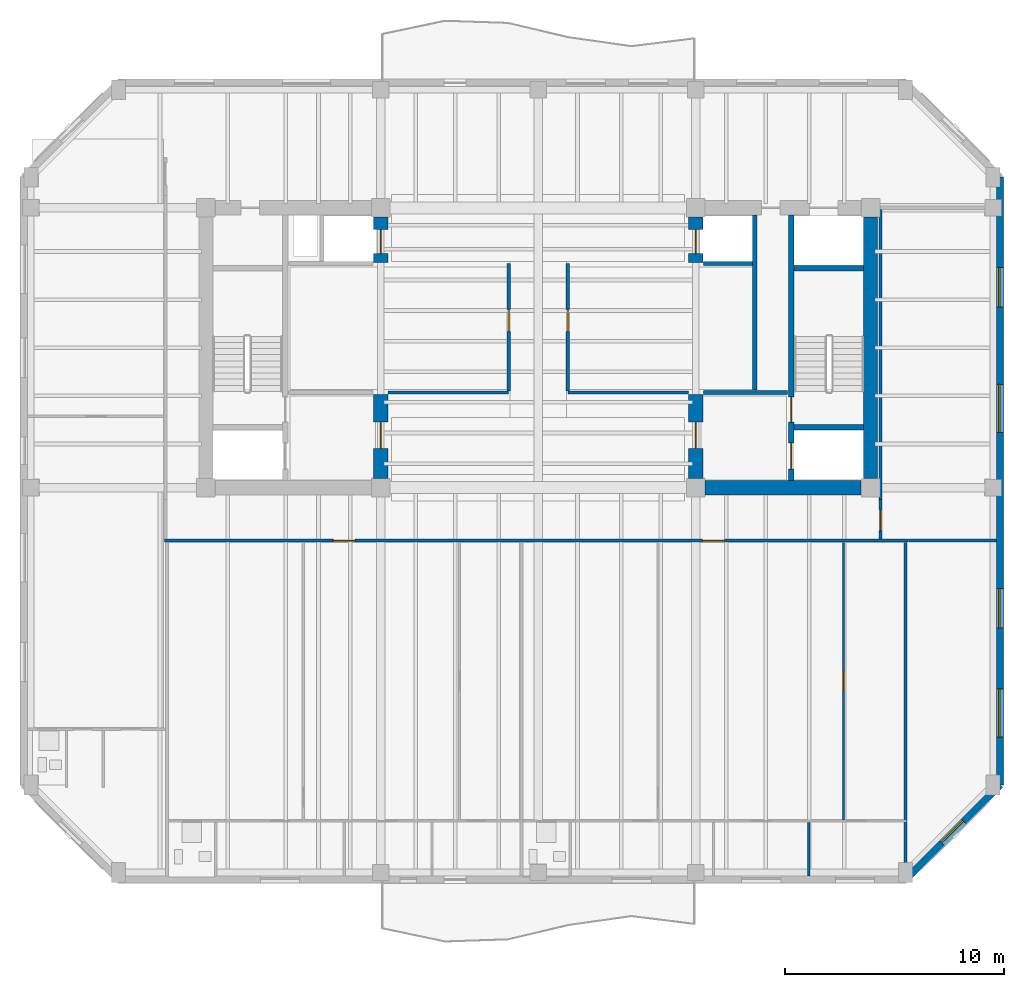
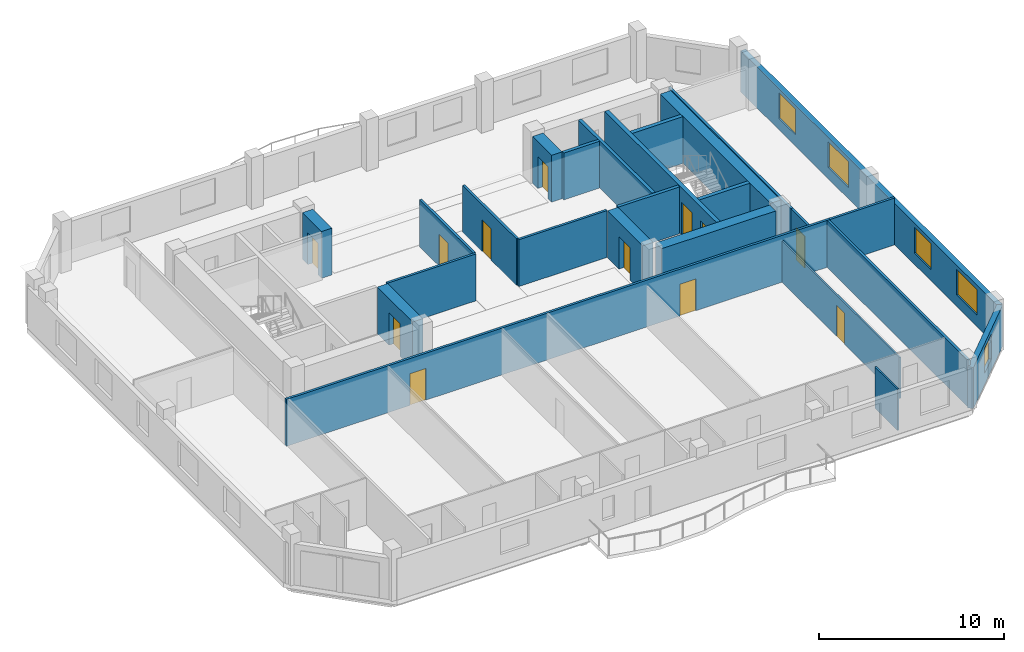
# One storey, part 4 of 10: 25 walls, 12 doors, 5 windows, 17 openings.
"""IFC4 building model written with IfcOpenShell, lengths in metres."""

from ifc_helpers import new_model, si_unit, direction, frame, frame_2d, origin, place, context, subcontext, project, spatial, rectangle, extrude, material, layer, layer_set, type_object, element, fill, save


model = new_model("IFC4")

# Units and contexts
model_context = context("Model", 3, precision=1e-05, world=origin(), true_north=direction((0.0, 1.0)))
body_context = subcontext(model_context, "Body", "Model", "MODEL_VIEW")
ifc_project = project(units=[si_unit("LENGTHUNIT", "METRE"), si_unit("AREAUNIT", "SQUARE_METRE"), si_unit("VOLUMEUNIT", "CUBIC_METRE"), si_unit("PLANEANGLEUNIT", "RADIAN"), si_unit("MASSUNIT", "GRAM", prefix="KILO")], contexts=[model_context])

# Site, building, storey
site_placement = place(None, origin())
site = spatial("IfcSite", under=ifc_project, at=site_placement, CompositionType="ELEMENT")
building_placement = place(site_placement, origin())
building = spatial("IfcBuilding", under=site, at=building_placement, Name="Kranthara Brick Stack", CompositionType="ELEMENT")
storey_placement = place(building_placement, frame((0.0, 0.0, 214.300048828125)))
storey = spatial("IfcBuildingStorey", under=building, at=storey_placement, Name="L55", CompositionType="ELEMENT", Elevation=214.300048828125)

# Wall, openings, windows
ifc_material_1 = material(Name="Warm buff clay brick masonry M15", Category="masonry")
ifc_layer_1 = layer(ifc_material_1, 0.320068359375)
ifc_layer_set_1 = layer_set([ifc_layer_1], Name="Warm buff clay brick masonry M15")
wall_type_1 = type_object("IfcWallType", Name="WL-BRK-UPPR-320", PredefinedType="STANDARD", material=ifc_layer_set_1)
wall_1_placement = place(storey_placement, frame((49.1201171875, 35.0, 0.0), z_axis=(0.0, 0.0, 1.0), x_axis=(0.0, -1.0, 0.0)))
wall_1 = element("IfcWall", 1, at=wall_1_placement, inside=storey, type_object=wall_type_1, Name="L55 Exterior Brick Facade Wall EAST 1", PredefinedType="STANDARD", context=body_context, shape_type="SweptSolid", body=[
    extrude(rectangle(XDim=27.800048828125, YDim=0.320068359375, at=frame_2d((13.89990234375, 0.0))), origin(), (0.0, 0.0, 1.0), 2.724853515625),
])
opening_1_placement = place(wall_1_placement, frame((4.1279296875, 0.0, 0.75)))
opening_1 = element("IfcOpeningElement", 2, at=opening_1_placement, cuts=wall_1, Name="Opening WN07", PredefinedType="OPENING", context=body_context, shape_type="SweptSolid", body=[
    extrude(rectangle(XDim=1.800048828125, YDim=1.699951171875, at=frame_2d((0.89990234375, 0.85009765625))), frame((0.0, 0.169921875, 0.0), z_axis=(0.0, -1.0, 0.0), x_axis=(1.0, 0.0, 0.0)), (0.0, 0.0, 1.0), 0.340087890625),
])
opening_2_placement = place(wall_1_placement, frame((9.471923828125, 0.0, 0.75)))
opening_2 = element("IfcOpeningElement", 3, at=opening_2_placement, cuts=wall_1, Name="Opening WN08", PredefinedType="OPENING", context=body_context, shape_type="SweptSolid", body=[
    extrude(rectangle(XDim=2.199951171875, YDim=1.699951171875, at=frame_2d((1.10009765625, 0.85009765625))), frame((0.0, 0.169921875, 0.0), z_axis=(0.0, -1.0, 0.0), x_axis=(1.0, 0.0, 0.0)), (0.0, 0.0, 1.0), 0.340087890625),
])
opening_3_placement = place(wall_1_placement, frame((18.81494140625, 0.0, 0.75)))
opening_3 = element("IfcOpeningElement", 4, at=opening_3_placement, cuts=wall_1, Name="Opening WN07", PredefinedType="OPENING", context=body_context, shape_type="SweptSolid", body=[
    extrude(rectangle(XDim=1.800048828125, YDim=1.699951171875, at=frame_2d((0.89990234375, 0.85009765625))), frame((0.0, 0.169921875, 0.0), z_axis=(0.0, -1.0, 0.0), x_axis=(1.0, 0.0, 0.0)), (0.0, 0.0, 1.0), 0.340087890625),
])
opening_4_placement = place(wall_1_placement, frame((23.405029296875, 0.0, 0.75)))
opening_4 = element("IfcOpeningElement", 5, at=opening_4_placement, cuts=wall_1, Name="Opening WN08", PredefinedType="OPENING", context=body_context, shape_type="SweptSolid", body=[
    extrude(rectangle(XDim=2.199951171875, YDim=1.699951171875, at=frame_2d((1.10009765625, 0.85009765625))), frame((0.0, 0.169921875, 0.0), z_axis=(0.0, -1.0, 0.0), x_axis=(1.0, 0.0, 0.0)), (0.0, 0.0, 1.0), 0.340087890625),
])
ifc_material_2 = material(Name="Double-glazed low-E solar control glass", Category="glass")
window_type_1 = type_object("IfcWindowType", Name="WN-RES-1800x1850", PartitioningType="DOUBLE_PANEL_VERTICAL", PredefinedType="WINDOW", material=ifc_material_2)
window_1_placement = place(opening_1_placement, origin())
window_1 = element("IfcWindow", 6, at=window_1_placement, inside=storey, type_object=window_type_1, Name="L55 East Deep-Set Brick Window 01", OverallHeight=1.699951171875, OverallWidth=1.800048828125, PartitioningType="SINGLE_PANEL", PredefinedType="WINDOW", context=body_context, shape_type="SweptSolid", body=[
    extrude(rectangle(XDim=1.800048828125, YDim=1.699951171875, at=frame_2d((0.89990234375, 0.85009765625))), frame((0.0, -0.010009765625, 0.0), z_axis=(0.0, -1.0, 0.0), x_axis=(1.0, 0.0, 0.0)), (0.0, 0.0, 1.0), 0.06005859375),
])
fill(opening_1, window_1)
window_2_placement = place(opening_3_placement, origin())
window_2 = element("IfcWindow", 7, at=window_2_placement, inside=storey, type_object=window_type_1, Name="L55 East Deep-Set Brick Window 03", OverallHeight=1.699951171875, OverallWidth=1.800048828125, PartitioningType="SINGLE_PANEL", PredefinedType="WINDOW", context=body_context, shape_type="SweptSolid", body=[
    extrude(rectangle(XDim=1.800048828125, YDim=1.699951171875, at=frame_2d((0.89990234375, 0.85009765625))), frame((0.0, -0.010009765625, 0.0), z_axis=(0.0, -1.0, 0.0), x_axis=(1.0, 0.0, 0.0)), (0.0, 0.0, 1.0), 0.06005859375),
])
fill(opening_3, window_2)
ifc_material_3 = material(Name="Double-glazed low-E solar control glass", Category="glass")
window_type_2 = type_object("IfcWindowType", Name="WN-RES-2200x1850", PartitioningType="TRIPLE_PANEL_VERTICAL", PredefinedType="WINDOW", material=ifc_material_3)
window_3_placement = place(opening_2_placement, origin())
window_3 = element("IfcWindow", 8, at=window_3_placement, inside=storey, type_object=window_type_2, Name="L55 East Deep-Set Brick Window 02", OverallHeight=1.699951171875, OverallWidth=2.199951171875, PartitioningType="SINGLE_PANEL", PredefinedType="WINDOW", context=body_context, shape_type="SweptSolid", body=[
    extrude(rectangle(XDim=2.199951171875, YDim=1.699951171875, at=frame_2d((1.10009765625, 0.85009765625))), frame((0.0, -0.010009765625, 0.0), z_axis=(0.0, -1.0, 0.0), x_axis=(1.0, 0.0, 0.0)), (0.0, 0.0, 1.0), 0.06005859375),
])
fill(opening_2, window_3)
window_4_placement = place(opening_4_placement, origin())
window_4 = element("IfcWindow", 9, at=window_4_placement, inside=storey, type_object=window_type_2, Name="L55 East Deep-Set Brick Window 04", OverallHeight=1.699951171875, OverallWidth=2.199951171875, PartitioningType="SINGLE_PANEL", PredefinedType="WINDOW", context=body_context, shape_type="SweptSolid", body=[
    extrude(rectangle(XDim=2.199951171875, YDim=1.699951171875, at=frame_2d((1.10009765625, 0.85009765625))), frame((0.0, -0.010009765625, 0.0), z_axis=(0.0, -1.0, 0.0), x_axis=(1.0, 0.0, 0.0)), (0.0, 0.0, 1.0), 0.06005859375),
])
fill(opening_4, window_4)

# Wall, opening, window
wall_2_placement = place(storey_placement, frame((49.1201171875, 7.199951171875, 0.0), z_axis=(0.0, 0.0, 1.0), x_axis=(-0.707106781187, -0.707106781187, 0.0)))
wall_2 = element("IfcWall", 10, at=wall_2_placement, inside=storey, type_object=wall_type_1, Name="L55 Exterior Brick Facade Wall SE 1", PredefinedType="STANDARD", context=body_context, shape_type="SweptSolid", body=[
    extrude(rectangle(XDim=6.109619140625, YDim=0.320068359375, at=frame_2d((3.0546875, 0.0))), origin(), (0.0, 0.0, 1.0), 2.724853515625),
])
opening_5_placement = place(wall_2_placement, frame((2.35498046875, 0.0, 0.75)))
opening_5 = element("IfcOpeningElement", 11, at=opening_5_placement, cuts=wall_2, Name="Opening WN10", PredefinedType="OPENING", context=body_context, shape_type="SweptSolid", body=[
    extrude(rectangle(XDim=1.39990234375, YDim=1.64990234375, at=frame_2d((0.699951171875, 0.824951171875))), frame((0.0, 0.169921875, 0.0), z_axis=(0.0, -1.0, 0.0), x_axis=(1.0, 0.0, 0.0)), (0.0, 0.0, 1.0), 0.340087890625),
])
ifc_material_4 = material(Name="Double-glazed low-E solar control glass", Category="glass")
window_type_3 = type_object("IfcWindowType", Name="WN-CHM-1400x1750", PartitioningType="SINGLE_PANEL", PredefinedType="WINDOW", material=ifc_material_4)
window_5_placement = place(opening_5_placement, origin())
window_5 = element("IfcWindow", 12, at=window_5_placement, inside=storey, type_object=window_type_3, Name="L55 SE Chamfer Corner Window", OverallHeight=1.64990234375, OverallWidth=1.39990234375, PartitioningType="SINGLE_PANEL", PredefinedType="WINDOW", context=body_context, shape_type="SweptSolid", body=[
    extrude(rectangle(XDim=1.39990234375, YDim=1.64990234375, at=frame_2d((0.699951171875, 0.824951171875))), frame((0.0, -0.010009765625, 0.0), z_axis=(0.0, -1.0, 0.0), x_axis=(1.0, 0.0, 0.0)), (0.0, 0.0, 1.0), 0.06005859375),
])
fill(opening_5, window_5)

# Wall, openings, doors
ifc_material_5 = material(Name="Concrete C50/60", Category="concrete")
ifc_layer_2 = layer(ifc_material_5, 0.25)
ifc_layer_set_2 = layer_set([ifc_layer_2], Name="Concrete C50/60")
wall_type_2 = type_object("IfcWallType", Name="WL-CORE-250", PredefinedType="SHEAR", material=ifc_layer_set_2)
wall_3_placement = place(storey_placement, frame((39.56494140625, 21.135009765625, 0.0), z_axis=(0.0, 0.0, 1.0), x_axis=(0.0, 1.0, 0.0)))
wall_3 = element("IfcWall", 13, at=wall_3_placement, inside=storey, type_object=wall_type_2, Name="L55 East Core Stair Bearing Spine Wall", PredefinedType="SHEAR", context=body_context, shape_type="SweptSolid", body=[
    extrude(rectangle(XDim=12.1298828125, YDim=0.25, at=frame_2d((6.06494140625, 0.0))), origin(), (0.0, 0.0, 1.0), 3.099853515625),
])
opening_6_placement = place(wall_3_placement, frame((0.514892578125, 0.0, 0.0)))
opening_6 = element("IfcOpeningElement", 14, at=opening_6_placement, cuts=wall_3, Name="Opening LD01", PredefinedType="OPENING", context=body_context, shape_type="SweptSolid", body=[
    extrude(rectangle(XDim=1.199951171875, YDim=2.14990234375, at=frame_2d((0.60009765625, 1.074951171875))), frame((0.0, 0.135009765625, 0.0), z_axis=(0.0, -1.0, 0.0), x_axis=(1.0, 0.0, 0.0)), (0.0, 0.0, 1.0), 0.27001953125),
])
opening_7_placement = place(wall_3_placement, frame((2.6650390625, 0.0, 0.0)))
opening_7 = element("IfcOpeningElement", 15, at=opening_7_placement, cuts=wall_3, Name="Opening D05", PredefinedType="OPENING", context=body_context, shape_type="SweptSolid", body=[
    extrude(rectangle(XDim=1.14990234375, YDim=2.14990234375, at=frame_2d((0.574951171875, 1.074951171875))), frame((0.0, 0.135009765625, 0.0), z_axis=(0.0, -1.0, 0.0), x_axis=(1.0, 0.0, 0.0)), (0.0, 0.0, 1.0), 0.27001953125),
])
ifc_material_6 = material(Name="Stainless steel sliding landing door", Category="steel")
door_type_1 = type_object("IfcDoorType", Name="DR-LD-FF1200", OperationType="DOUBLE_DOOR_SLIDING", PredefinedType="DOOR", material=ifc_material_6)
door_1_placement = place(opening_6_placement, origin())
door_1 = element("IfcDoor", 16, at=door_1_placement, inside=storey, type_object=door_type_1, Name="L55 Firefighting Lift FF-02 Landing Door", OperationType="DOUBLE_DOOR_SLIDING", OverallHeight=2.14990234375, OverallWidth=1.199951171875, PredefinedType="DOOR", context=body_context, shape_type="SweptSolid", body=[
    extrude(rectangle(XDim=1.199951171875, YDim=2.14990234375, at=frame_2d((0.60009765625, 1.074951171875))), frame((0.0, 0.02490234375, 0.0), z_axis=(0.0, -1.0, 0.0), x_axis=(1.0, 0.0, 0.0)), (0.0, 0.0, 1.0), 0.050048828125),
])
fill(opening_6, door_1)
ifc_material_7 = material(Name="Solid-core hardwood timber leaf in steel frame", Category="steel")
door_type_2 = type_object("IfcDoorType", Name="DR-ST-1150", OperationType="NOTDEFINED", PredefinedType="DOOR", material=ifc_material_7)
door_2_placement = place(opening_7_placement, origin())
door_2 = element("IfcDoor", 17, at=door_2_placement, inside=storey, type_object=door_type_2, Name="L55 Exit Stair ST02 Door", OperationType="SINGLE_SWING_LEFT", OverallHeight=2.14990234375, OverallWidth=1.14990234375, PredefinedType="DOOR", context=body_context, shape_type="SweptSolid", body=[
    extrude(rectangle(XDim=1.14990234375, YDim=2.14990234375, at=frame_2d((0.574951171875, 1.074951171875))), frame((0.0, 0.02490234375, 0.0), z_axis=(0.0, -1.0, 0.0), x_axis=(1.0, 0.0, 0.0)), (0.0, 0.0, 1.0), 0.050048828125),
])
fill(opening_7, door_2)

# Walls
for number, where, z_axis, x_axis, name in (
    (18, (39.68994140625, 23.570068359375, 0.0), (0.0, 0.0, 1.0), (1.0, 0.0, 0.0), "L55 East Stairwell Bearing Wall EFF"),
    (19, (39.68994140625, 30.830078125, 0.0), (0.0, 0.0, 1.0), (1.0, 0.0, 0.0), "L55 East Stairwell Bearing Wall EST"),
):
    element("IfcWall", number, at=place(storey_placement, frame(where, z_axis=z_axis, x_axis=x_axis)), inside=storey, type_object=wall_type_2, Name=name, PredefinedType="SHEAR", context=body_context, shape_type="SweptSolid", body=[
        extrude(rectangle(XDim=3.175048828125, YDim=0.25, at=frame_2d((1.58740234375, 0.0))), origin(), (0.0, 0.0, 1.0), 3.099853515625),
    ])

# Wall, opening, door
ifc_material_8 = material(Name="Concrete C60/75", Category="concrete")
ifc_layer_3 = layer(ifc_material_8, 0.64990234375)
ifc_layer_set_3 = layer_set([ifc_layer_3], Name="Concrete C60/75")
wall_type_3 = type_object("IfcWallType", Name="WL-CORE-650", PredefinedType="SHEAR", material=ifc_layer_set_3)
wall_4_placement = place(storey_placement, frame((20.800048828125, 21.22998046875, 0.0), z_axis=(0.0, 0.0, 1.0), x_axis=(0.0, 1.0, 0.0)))
wall_4 = element("IfcWall", 20, at=wall_4_placement, inside=storey, type_object=wall_type_3, Name="L55 West Core Lobby Shear Wall", PredefinedType="SHEAR", context=body_context, shape_type="SweptSolid", body=[
    extrude(rectangle(XDim=3.820068359375, YDim=0.64990234375, at=frame_2d((1.91015625, 0.0))), origin(), (0.0, 0.0, 1.0), 3.099853515625),
])
opening_8_placement = place(wall_4_placement, frame((1.3701171875, 0.0, 0.0)))
opening_8 = element("IfcOpeningElement", 21, at=opening_8_placement, cuts=wall_4, Name="Opening D06", PredefinedType="OPENING", context=body_context, shape_type="SweptSolid", body=[
    extrude(rectangle(XDim=1.199951171875, YDim=2.14990234375, at=frame_2d((0.60009765625, 1.074951171875))), frame((0.0, 0.3349609375, 0.0), z_axis=(0.0, -1.0, 0.0), x_axis=(1.0, 0.0, 0.0)), (0.0, 0.0, 1.0), 0.669921875),
])
ifc_material_9 = material(Name="Solid-core hardwood timber leaf in steel frame", Category="steel")
door_type_3 = type_object("IfcDoorType", Name="DR-FFL-1200", OperationType="NOTDEFINED", PredefinedType="DOOR", material=ifc_material_9)
door_3_placement = place(opening_8_placement, origin())
door_3 = element("IfcDoor", 22, at=door_3_placement, inside=storey, type_object=door_type_3, Name="L55 West Firefighting Lobby Door", OperationType="SINGLE_SWING_LEFT", OverallHeight=2.14990234375, OverallWidth=1.199951171875, PredefinedType="DOOR", context=body_context, shape_type="SweptSolid", body=[
    extrude(rectangle(XDim=1.199951171875, YDim=2.14990234375, at=frame_2d((0.60009765625, 1.074951171875))), frame((0.0, 0.02490234375, 0.0), z_axis=(0.0, -1.0, 0.0), x_axis=(1.0, 0.0, 0.0)), (0.0, 0.0, 1.0), 0.050048828125),
])
fill(opening_8, door_3)

wall_5_placement = place(storey_placement, frame((20.800048828125, 31.10009765625, 0.0), z_axis=(0.0, 0.0, 1.0), x_axis=(0.0, 1.0, 0.0)))
wall_5 = element("IfcWall", 23, at=wall_5_placement, inside=storey, type_object=wall_type_3, Name="L55 West Core High-Rise Lift Wall", PredefinedType="SHEAR", context=body_context, shape_type="SweptSolid", body=[
    extrude(rectangle(XDim=2.06982421875, YDim=0.64990234375, at=frame_2d((1.034912109375, 0.0))), origin(), (0.0, 0.0, 1.0), 3.099853515625),
])
opening_9_placement = place(wall_5_placement, frame((0.39990234375, 0.0, 0.0)))
opening_9 = element("IfcOpeningElement", 24, at=opening_9_placement, cuts=wall_5, Name="Opening LD02", PredefinedType="OPENING", context=body_context, shape_type="SweptSolid", body=[
    extrude(rectangle(XDim=1.10009765625, YDim=2.10009765625, at=frame_2d((0.550048828125, 1.050048828125))), frame((0.0, 0.3349609375, 0.0), z_axis=(0.0, -1.0, 0.0), x_axis=(1.0, 0.0, 0.0)), (0.0, 0.0, 1.0), 0.669921875),
])
ifc_material_10 = material(Name="Stainless steel sliding landing door", Category="steel")
door_type_4 = type_object("IfcDoorType", Name="DR-LD-PL1100", OperationType="DOUBLE_DOOR_SLIDING", PredefinedType="DOOR", material=ifc_material_10)
door_4_placement = place(opening_9_placement, origin())
door_4 = element("IfcDoor", 25, at=door_4_placement, inside=storey, type_object=door_type_4, Name="L55 PL-07 Lift Landing Door", OperationType="DOUBLE_DOOR_SLIDING", OverallHeight=2.10009765625, OverallWidth=1.10009765625, PredefinedType="DOOR", context=body_context, shape_type="SweptSolid", body=[
    extrude(rectangle(XDim=1.10009765625, YDim=2.10009765625, at=frame_2d((0.550048828125, 1.050048828125))), frame((0.0, 0.02490234375, 0.0), z_axis=(0.0, -1.0, 0.0), x_axis=(1.0, 0.0, 0.0)), (0.0, 0.0, 1.0), 0.050048828125),
])
fill(opening_9, door_4)

# Walls
wall_6_placement = place(storey_placement, frame((43.199951171875, 21.22998046875, 0.0), z_axis=(0.0, 0.0, 1.0), x_axis=(0.0, 1.0, 0.0)))
element("IfcWall", 26, at=wall_6_placement, inside=storey, type_object=wall_type_3, Name="L55 East Core Shear Wall East", PredefinedType="SHEAR", context=body_context, shape_type="SweptSolid", body=[
    extrude(rectangle(XDim=11.93994140625, YDim=0.64990234375, at=frame_2d((5.969970703125, 0.0))), origin(), (0.0, 0.0, 1.0), 3.099853515625),
])
wall_7_placement = place(storey_placement, frame((35.6298828125, 20.800048828125, 0.0), z_axis=(0.0, 0.0, 1.0), x_axis=(1.0, 0.0, 0.0)))
element("IfcWall", 27, at=wall_7_placement, inside=storey, type_object=wall_type_3, Name="L55 East Core Shear Wall South", PredefinedType="SHEAR", context=body_context, shape_type="SweptSolid", body=[
    extrude(rectangle(XDim=7.14013671875, YDim=0.64990234375, at=frame_2d((3.570068359375, 0.0))), origin(), (0.0, 0.0, 1.0), 3.099853515625),
])

# Wall, opening, door
wall_8_placement = place(storey_placement, frame((35.199951171875, 21.22998046875, 0.0), z_axis=(0.0, 0.0, 1.0), x_axis=(0.0, 1.0, 0.0)))
wall_8 = element("IfcWall", 28, at=wall_8_placement, inside=storey, type_object=wall_type_3, Name="L55 East Core Lobby Shear Wall", PredefinedType="SHEAR", context=body_context, shape_type="SweptSolid", body=[
    extrude(rectangle(XDim=3.820068359375, YDim=0.64990234375, at=frame_2d((1.91015625, 0.0))), origin(), (0.0, 0.0, 1.0), 3.099853515625),
])
opening_10_placement = place(wall_8_placement, frame((1.3701171875, 0.0, 0.0)))
opening_10 = element("IfcOpeningElement", 29, at=opening_10_placement, cuts=wall_8, Name="Opening D06", PredefinedType="OPENING", context=body_context, shape_type="SweptSolid", body=[
    extrude(rectangle(XDim=1.199951171875, YDim=2.14990234375, at=frame_2d((0.60009765625, 1.074951171875))), frame((0.0, 0.3349609375, 0.0), z_axis=(0.0, -1.0, 0.0), x_axis=(1.0, 0.0, 0.0)), (0.0, 0.0, 1.0), 0.669921875),
])
door_5_placement = place(opening_10_placement, origin())
door_5 = element("IfcDoor", 30, at=door_5_placement, inside=storey, type_object=door_type_3, Name="L55 East Firefighting Lobby Door", OperationType="SINGLE_SWING_RIGHT", OverallHeight=2.14990234375, OverallWidth=1.199951171875, PredefinedType="DOOR", context=body_context, shape_type="SweptSolid", body=[
    extrude(rectangle(XDim=1.199951171875, YDim=2.14990234375, at=frame_2d((0.60009765625, 1.074951171875))), frame((0.0, 0.02490234375, 0.0), z_axis=(0.0, -1.0, 0.0), x_axis=(1.0, 0.0, 0.0)), (0.0, 0.0, 1.0), 0.050048828125),
])
fill(opening_10, door_5)

wall_9_placement = place(storey_placement, frame((35.199951171875, 31.10009765625, 0.0), z_axis=(0.0, 0.0, 1.0), x_axis=(0.0, 1.0, 0.0)))
wall_9 = element("IfcWall", 31, at=wall_9_placement, inside=storey, type_object=wall_type_3, Name="L55 East Core High-Rise Lift Wall", PredefinedType="SHEAR", context=body_context, shape_type="SweptSolid", body=[
    extrude(rectangle(XDim=2.06982421875, YDim=0.64990234375, at=frame_2d((1.034912109375, 0.0))), origin(), (0.0, 0.0, 1.0), 3.099853515625),
])
opening_11_placement = place(wall_9_placement, frame((0.39990234375, 0.0, 0.0)))
opening_11 = element("IfcOpeningElement", 32, at=opening_11_placement, cuts=wall_9, Name="Opening LD02", PredefinedType="OPENING", context=body_context, shape_type="SweptSolid", body=[
    extrude(rectangle(XDim=1.10009765625, YDim=2.10009765625, at=frame_2d((0.550048828125, 1.050048828125))), frame((0.0, 0.3349609375, 0.0), z_axis=(0.0, -1.0, 0.0), x_axis=(1.0, 0.0, 0.0)), (0.0, 0.0, 1.0), 0.669921875),
])
door_6_placement = place(opening_11_placement, origin())
door_6 = element("IfcDoor", 33, at=door_6_placement, inside=storey, type_object=door_type_4, Name="L55 PL-08 Lift Landing Door", OperationType="DOUBLE_DOOR_SLIDING", OverallHeight=2.10009765625, OverallWidth=1.10009765625, PredefinedType="DOOR", context=body_context, shape_type="SweptSolid", body=[
    extrude(rectangle(XDim=1.10009765625, YDim=2.10009765625, at=frame_2d((0.550048828125, 1.050048828125))), frame((0.0, 0.02490234375, 0.0), z_axis=(0.0, -1.0, 0.0), x_axis=(1.0, 0.0, 0.0)), (0.0, 0.0, 1.0), 0.050048828125),
])
fill(opening_11, door_6)

ifc_material_11 = material(Name="Moisture-resistant wet-room partition", Category="other")
ifc_layer_4 = layer(ifc_material_11, 0.10009765625)
ifc_layer_set_4 = layer_set([ifc_layer_4], Name="Moisture-resistant wet-room partition")
wall_type_4 = type_object("IfcWallType", Name="WL-PART-100", PredefinedType="PARTITIONING", material=ifc_layer_set_4)
wall_10_placement = place(storey_placement, frame((41.9580078125, 5.60498046875, 0.0), z_axis=(0.0, 0.0, 1.0), x_axis=(0.0, 1.0, 0.0)))
wall_10 = element("IfcWall", 34, at=wall_10_placement, inside=storey, type_object=wall_type_4, Name="L55 Interior Partition 015", PredefinedType="PARTITIONING", context=body_context, shape_type="SweptSolid", body=[
    extrude(rectangle(XDim=12.695068359375, YDim=0.10009765625, at=frame_2d((6.34765625, 0.0))), origin(), (0.0, 0.0, 1.0), 2.724853515625),
])
opening_12_placement = place(wall_10_placement, frame((5.909912109375, 0.0, 0.0)))
opening_12 = element("IfcOpeningElement", 35, at=opening_12_placement, cuts=wall_10, Name="Opening D15", PredefinedType="OPENING", context=body_context, shape_type="SweptSolid", body=[
    extrude(rectangle(XDim=0.89990234375, YDim=2.050048828125, at=frame_2d((0.449951171875, 1.02490234375))), frame((0.0, 0.06005859375, 0.0), z_axis=(0.0, -1.0, 0.0), x_axis=(1.0, 0.0, 0.0)), (0.0, 0.0, 1.0), 0.1201171875),
])
ifc_material_12 = material(Name="Solid-core hardwood timber leaf in steel frame", Category="steel")
door_type_5 = type_object("IfcDoorType", Name="DR-INT-900", OperationType="NOTDEFINED", PredefinedType="DOOR", material=ifc_material_12)
door_7_placement = place(opening_12_placement, origin())
door_7 = element("IfcDoor", 36, at=door_7_placement, inside=storey, type_object=door_type_5, Name="L55 Unit L55B Bedroom 3 11", OperationType="SINGLE_SWING_LEFT", OverallHeight=2.050048828125, OverallWidth=0.89990234375, PredefinedType="DOOR", context=body_context, shape_type="SweptSolid", body=[
    extrude(rectangle(XDim=0.89990234375, YDim=2.050048828125, at=frame_2d((0.449951171875, 1.02490234375))), frame((0.0, 0.02490234375, 0.0), z_axis=(0.0, -1.0, 0.0), x_axis=(1.0, 0.0, 0.0)), (0.0, 0.0, 1.0), 0.050048828125),
])
fill(opening_12, door_7)

# Walls
wall_11_placement = place(storey_placement, frame((40.367919921875, 3.044921875, 0.0), z_axis=(0.0, 0.0, 1.0), x_axis=(0.0, 1.0, 0.0)))
element("IfcWall", 37, at=wall_11_placement, inside=storey, type_object=wall_type_4, Name="L55 Interior Partition 019", PredefinedType="PARTITIONING", context=body_context, shape_type="SweptSolid", body=[
    extrude(rectangle(XDim=2.4501953125, YDim=0.10009765625, at=frame_2d((1.22509765625, 0.0))), origin(), (0.0, 0.0, 1.0), 2.724853515625),
])
ifc_material_13 = material(Name="Fire-rated gypsum board partition", Category="other")
ifc_layer_5 = layer(ifc_material_13, 0.14990234375)
ifc_layer_set_5 = layer_set([ifc_layer_5], Name="Fire-rated gypsum board partition")
wall_type_5 = type_object("IfcWallType", Name="WL-PART-150", PredefinedType="PARTITIONING", material=ifc_layer_set_5)
for number, where, z_axis, x_axis, name in (
    (38, (21.1298828125, 25.14990234375, 0.0), (0.0, 0.0, 1.0), (1.0, 0.0, 0.0), "L55 Interior Partition 001"),
    (39, (29.35009765625, 25.14990234375, 0.0), (0.0, 0.0, 1.0), (1.0, 0.0, 0.0), "L55 Interior Partition 002"),
):
    element("IfcWall", number, at=place(storey_placement, frame(where, z_axis=z_axis, x_axis=x_axis)), inside=storey, type_object=wall_type_5, Name=name, PredefinedType="PARTITIONING", context=body_context, shape_type="SweptSolid", body=[
        extrude(rectangle(XDim=5.52001953125, YDim=0.14990234375, at=frame_2d((2.760009765625, 0.0))), origin(), (0.0, 0.0, 1.0), 3.099853515625),
    ])

# Wall, opening, door
wall_12_placement = place(storey_placement, frame((26.64990234375, 25.22998046875, 0.0), z_axis=(0.0, 0.0, 1.0), x_axis=(0.0, 1.0, 0.0)))
wall_12 = element("IfcWall", 40, at=wall_12_placement, inside=storey, type_object=wall_type_5, Name="L55 Interior Partition 003", PredefinedType="PARTITIONING", context=body_context, shape_type="SweptSolid", body=[
    extrude(rectangle(XDim=5.820068359375, YDim=0.14990234375, at=frame_2d((2.91015625, 0.0))), origin(), (0.0, 0.0, 1.0), 3.099853515625),
])
opening_13_placement = place(wall_12_placement, frame((2.719970703125, 0.0, 0.0)))
opening_13 = element("IfcOpeningElement", 41, at=opening_13_placement, cuts=wall_12, Name="Opening D08", PredefinedType="OPENING", context=body_context, shape_type="SweptSolid", body=[
    extrude(rectangle(XDim=1.0, YDim=2.10009765625, at=frame_2d((0.5, 1.050048828125))), frame((0.0, 0.0849609375, 0.0), z_axis=(0.0, -1.0, 0.0), x_axis=(1.0, 0.0, 0.0)), (0.0, 0.0, 1.0), 0.169921875),
])
ifc_material_14 = material(Name="Solid-core hardwood timber leaf in steel frame", Category="steel")
door_type_6 = type_object("IfcDoorType", Name="DR-FD-1000", OperationType="NOTDEFINED", PredefinedType="DOOR", material=ifc_material_14)
door_8_placement = place(opening_13_placement, origin())
door_8 = element("IfcDoor", 42, at=door_8_placement, inside=storey, type_object=door_type_6, Name="L55 Residents Study Salon 01", OperationType="SINGLE_SWING_LEFT", OverallHeight=2.10009765625, OverallWidth=1.0, PredefinedType="DOOR", context=body_context, shape_type="SweptSolid", body=[
    extrude(rectangle(XDim=1.0, YDim=2.10009765625, at=frame_2d((0.5, 1.050048828125))), frame((0.0, 0.02490234375, 0.0), z_axis=(0.0, -1.0, 0.0), x_axis=(1.0, 0.0, 0.0)), (0.0, 0.0, 1.0), 0.050048828125),
])
fill(opening_13, door_8)

wall_13_placement = place(storey_placement, frame((29.35009765625, 25.22998046875, 0.0), z_axis=(0.0, 0.0, 1.0), x_axis=(0.0, 1.0, 0.0)))
wall_13 = element("IfcWall", 43, at=wall_13_placement, inside=storey, type_object=wall_type_5, Name="L55 Interior Partition 004", PredefinedType="PARTITIONING", context=body_context, shape_type="SweptSolid", body=[
    extrude(rectangle(XDim=5.820068359375, YDim=0.14990234375, at=frame_2d((2.91015625, 0.0))), origin(), (0.0, 0.0, 1.0), 3.099853515625),
])
opening_14_placement = place(wall_13_placement, frame((2.719970703125, 0.0, 0.0)))
opening_14 = element("IfcOpeningElement", 44, at=opening_14_placement, cuts=wall_13, Name="Opening D08", PredefinedType="OPENING", context=body_context, shape_type="SweptSolid", body=[
    extrude(rectangle(XDim=1.0, YDim=2.10009765625, at=frame_2d((0.5, 1.050048828125))), frame((0.0, 0.0849609375, 0.0), z_axis=(0.0, -1.0, 0.0), x_axis=(1.0, 0.0, 0.0)), (0.0, 0.0, 1.0), 0.169921875),
])
door_9_placement = place(opening_14_placement, origin())
door_9 = element("IfcDoor", 45, at=door_9_placement, inside=storey, type_object=door_type_6, Name="L55 Private Dining Lounge 02", OperationType="SINGLE_SWING_RIGHT", OverallHeight=2.10009765625, OverallWidth=1.0, PredefinedType="DOOR", context=body_context, shape_type="SweptSolid", body=[
    extrude(rectangle(XDim=1.0, YDim=2.10009765625, at=frame_2d((0.5, 1.050048828125))), frame((0.0, 0.02490234375, 0.0), z_axis=(0.0, -1.0, 0.0), x_axis=(1.0, 0.0, 0.0)), (0.0, 0.0, 1.0), 0.050048828125),
])
fill(opening_14, door_9)

# Wall, openings, doors
wall_14_placement = place(storey_placement, frame((10.89990234375, 18.3798828125, 0.0), z_axis=(0.0, 0.0, 1.0), x_axis=(1.0, 0.0, 0.0)))
wall_14 = element("IfcWall", 46, at=wall_14_placement, inside=storey, type_object=wall_type_5, Name="L55 Interior Partition 005", PredefinedType="PARTITIONING", context=body_context, shape_type="SweptSolid", body=[
    extrude(rectangle(XDim=34.02001953125, YDim=0.14990234375, at=frame_2d((17.010009765625, 0.0))), origin(), (0.0, 0.0, 1.0), 3.099853515625),
])
opening_15_placement = place(wall_14_placement, frame((7.72705078125, 0.0, 0.0)))
opening_15 = element("IfcOpeningElement", 47, at=opening_15_placement, cuts=wall_14, Name="Opening D08", PredefinedType="OPENING", context=body_context, shape_type="SweptSolid", body=[
    extrude(rectangle(XDim=1.0, YDim=2.10009765625, at=frame_2d((0.5, 1.050048828125))), frame((0.0, 0.0849609375, 0.0), z_axis=(0.0, -1.0, 0.0), x_axis=(1.0, 0.0, 0.0)), (0.0, 0.0, 1.0), 0.169921875),
])
opening_16_placement = place(wall_14_placement, frame((24.616943359375, 0.0, 0.0)))
opening_16 = element("IfcOpeningElement", 48, at=opening_16_placement, cuts=wall_14, Name="Opening D08", PredefinedType="OPENING", context=body_context, shape_type="SweptSolid", body=[
    extrude(rectangle(XDim=1.0, YDim=2.10009765625, at=frame_2d((0.5, 1.050048828125))), frame((0.0, 0.0849609375, 0.0), z_axis=(0.0, -1.0, 0.0), x_axis=(1.0, 0.0, 0.0)), (0.0, 0.0, 1.0), 0.169921875),
])
door_10_placement = place(opening_15_placement, origin())
door_10 = element("IfcDoor", 49, at=door_10_placement, inside=storey, type_object=door_type_6, Name="L55 Unit L55A Entrance 03", OperationType="SINGLE_SWING_LEFT", OverallHeight=2.10009765625, OverallWidth=1.0, PredefinedType="DOOR", context=body_context, shape_type="SweptSolid", body=[
    extrude(rectangle(XDim=1.0, YDim=2.10009765625, at=frame_2d((0.5, 1.050048828125))), frame((0.0, 0.02490234375, 0.0), z_axis=(0.0, -1.0, 0.0), x_axis=(1.0, 0.0, 0.0)), (0.0, 0.0, 1.0), 0.050048828125),
])
fill(opening_15, door_10)
door_11_placement = place(opening_16_placement, origin())
door_11 = element("IfcDoor", 50, at=door_11_placement, inside=storey, type_object=door_type_6, Name="L55 Unit L55B Entrance 10", OperationType="SINGLE_SWING_RIGHT", OverallHeight=2.10009765625, OverallWidth=1.0, PredefinedType="DOOR", context=body_context, shape_type="SweptSolid", body=[
    extrude(rectangle(XDim=1.0, YDim=2.10009765625, at=frame_2d((0.5, 1.050048828125))), frame((0.0, 0.02490234375, 0.0), z_axis=(0.0, -1.0, 0.0), x_axis=(1.0, 0.0, 0.0)), (0.0, 0.0, 1.0), 0.050048828125),
])
fill(opening_16, door_11)

# Walls
wall_15_placement = place(storey_placement, frame((44.800048828125, 3.044921875, 0.0), z_axis=(0.0, 0.0, 1.0), x_axis=(0.0, 1.0, 0.0)))
element("IfcWall", 51, at=wall_15_placement, inside=storey, type_object=wall_type_5, Name="L55 Interior Partition 020", PredefinedType="PARTITIONING", context=body_context, shape_type="SweptSolid", body=[
    extrude(rectangle(XDim=15.255126953125, YDim=0.14990234375, at=frame_2d((7.62744140625, 0.0))), origin(), (0.0, 0.0, 1.0), 3.099853515625),
])
wall_16_placement = place(storey_placement, frame((44.929931640625, 18.3798828125, 0.0), z_axis=(0.0, 0.0, 1.0), x_axis=(1.0, 0.0, 0.0)))
element("IfcWall", 52, at=wall_16_placement, inside=storey, type_object=wall_type_5, Name="L55 Interior Partition 030", PredefinedType="PARTITIONING", context=body_context, shape_type="SweptSolid", body=[
    extrude(rectangle(XDim=4.025146484375, YDim=0.14990234375, at=frame_2d((2.0126953125, 0.0))), origin(), (0.0, 0.0, 1.0), 3.099853515625),
])

# Wall, opening, door
wall_17_placement = place(storey_placement, frame((43.64990234375, 18.4599609375, 0.0), z_axis=(0.0, 0.0, 1.0), x_axis=(0.0, 1.0, 0.0)))
wall_17 = element("IfcWall", 53, at=wall_17_placement, inside=storey, type_object=wall_type_5, Name="L55 Interior Partition 032", PredefinedType="PARTITIONING", context=body_context, shape_type="SweptSolid", body=[
    extrude(rectangle(XDim=1.7900390625, YDim=0.14990234375, at=frame_2d((0.89501953125, 0.0))), origin(), (0.0, 0.0, 1.0), 3.099853515625),
])
opening_17_placement = place(wall_17_placement, frame((0.3798828125, 0.0, 0.0)))
opening_17 = element("IfcOpeningElement", 54, at=opening_17_placement, cuts=wall_17, Name="Opening D09", PredefinedType="OPENING", context=body_context, shape_type="SweptSolid", body=[
    extrude(rectangle(XDim=0.949951171875, YDim=2.10009765625, at=frame_2d((0.47509765625, 1.050048828125))), frame((0.0, 0.0849609375, 0.0), z_axis=(0.0, -1.0, 0.0), x_axis=(1.0, 0.0, 0.0)), (0.0, 0.0, 1.0), 0.169921875),
])
ifc_material_15 = material(Name="Solid-core hardwood timber leaf in steel frame", Category="steel")
door_type_7 = type_object("IfcDoorType", Name="DR-FD-950", OperationType="NOTDEFINED", PredefinedType="DOOR", material=ifc_material_15)
door_12_placement = place(opening_17_placement, origin())
door_12 = element("IfcDoor", 55, at=door_12_placement, inside=storey, type_object=door_type_7, Name="L55 East Sky Conservatory Door 22", OperationType="SINGLE_SWING_RIGHT", OverallHeight=2.10009765625, OverallWidth=0.949951171875, PredefinedType="DOOR", context=body_context, shape_type="SweptSolid", body=[
    extrude(rectangle(XDim=0.949951171875, YDim=2.10009765625, at=frame_2d((0.47509765625, 1.050048828125))), frame((0.0, 0.02490234375, 0.0), z_axis=(0.0, -1.0, 0.0), x_axis=(1.0, 0.0, 0.0)), (0.0, 0.0, 1.0), 0.050048828125),
])
fill(opening_17, door_12)

# Walls
wall_18_placement = place(storey_placement, frame((43.64990234375, 20.25, 0.0), z_axis=(0.0, 0.0, 1.0), x_axis=(0.0, 1.0, 0.0)))
element("IfcWall", 56, at=wall_18_placement, inside=storey, type_object=wall_type_5, Name="L55 Interior Partition 033", PredefinedType="PARTITIONING", context=body_context, shape_type="SweptSolid", body=[
    extrude(rectangle(XDim=13.27001953125, YDim=0.14990234375, at=frame_2d((6.635009765625, 0.0))), origin(), (0.0, 0.0, 1.0), 3.099853515625),
])
ifc_material_16 = material(Name="Concrete C40/50", Category="concrete")
ifc_layer_6 = layer(ifc_material_16, 0.199951171875)
ifc_layer_set_6 = layer_set([ifc_layer_6], Name="Concrete C40/50")
wall_type_6 = type_object("IfcWallType", Name="WL-PART-200", PredefinedType="SOLIDWALL", material=ifc_layer_set_6)
wall_19_placement = place(storey_placement, frame((35.550048828125, 25.14990234375, 0.0), z_axis=(0.0, 0.0, 1.0), x_axis=(1.0, 0.0, 0.0)))
element("IfcWall", 57, at=wall_19_placement, inside=storey, type_object=wall_type_6, Name="L55 East Core Cross Wall EFL", PredefinedType="SOLIDWALL", context=body_context, shape_type="SweptSolid", body=[
    extrude(rectangle(XDim=3.849853515625, YDim=0.199951171875, at=frame_2d((1.9248046875, 0.0))), origin(), (0.0, 0.0, 1.0), 3.099853515625),
])
wall_20_placement = place(storey_placement, frame((35.550048828125, 31.050048828125, 0.0), z_axis=(0.0, 0.0, 1.0), x_axis=(1.0, 0.0, 0.0)))
element("IfcWall", 58, at=wall_20_placement, inside=storey, type_object=wall_type_6, Name="L55 East Core Cross Wall EE4", PredefinedType="SOLIDWALL", context=body_context, shape_type="SweptSolid", body=[
    extrude(rectangle(XDim=2.25, YDim=0.199951171875, at=frame_2d((1.125, 0.0))), origin(), (0.0, 0.0, 1.0), 3.099853515625),
])
wall_21_placement = place(storey_placement, frame((37.89990234375, 25.27001953125, 0.0), z_axis=(0.0, 0.0, 1.0), x_axis=(0.0, 1.0, 0.0)))
element("IfcWall", 59, at=wall_21_placement, inside=storey, type_object=wall_type_6, Name="L55 East Core Cross Wall ESV", PredefinedType="SOLIDWALL", context=body_context, shape_type="SweptSolid", body=[
    extrude(rectangle(XDim=7.994873046875, YDim=0.199951171875, at=frame_2d((3.99755859375, 0.0))), origin(), (0.0, 0.0, 1.0), 3.099853515625),
])

save(model, "model.ifc")
